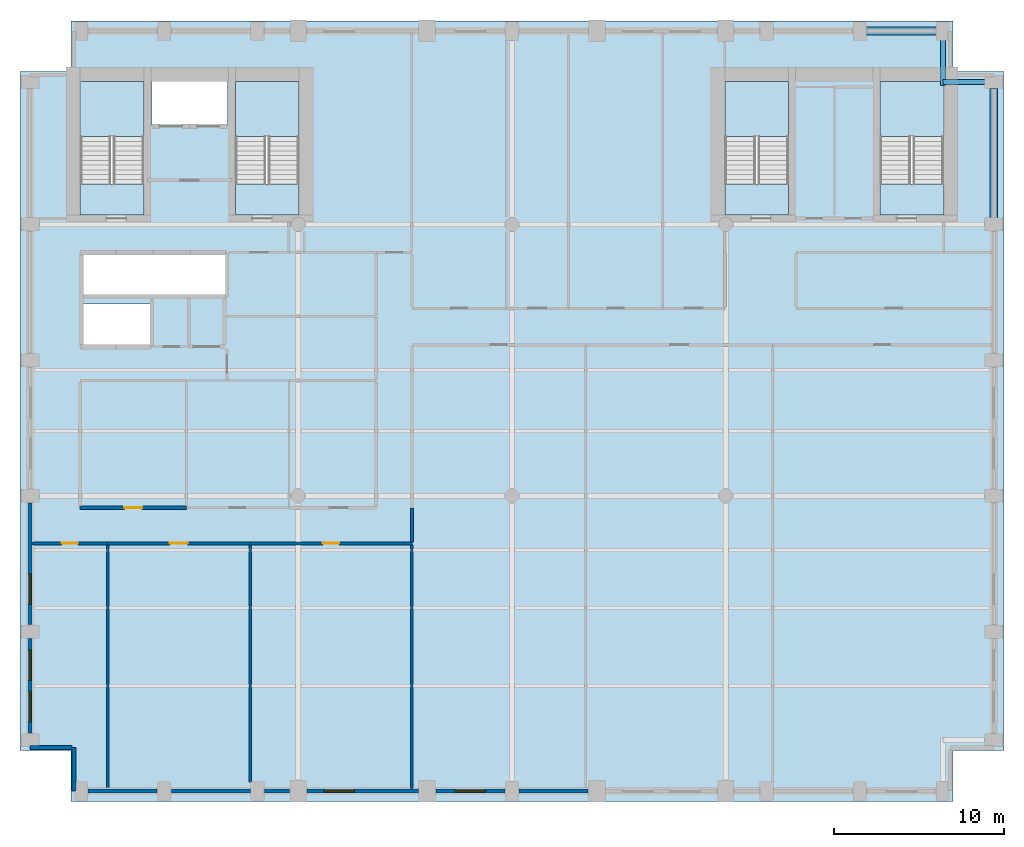
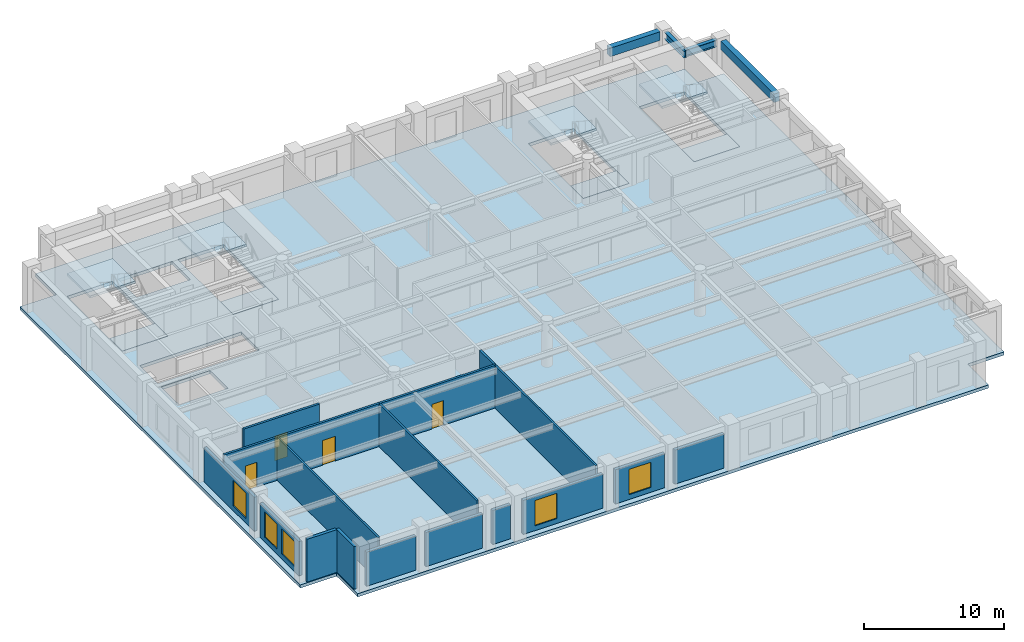
# One storey, part 2 of 8: 18 walls, 9 slabs, 5 windows, 4 beams, 4 doors, 9 openings, 4 elements without a shape of their own.
"""IFC4 building model written with IfcOpenShell, lengths in metres."""

from ifc_helpers import new_model, si_unit, direction, frame, frame_2d, origin, origin_2d, place, context, subcontext, project, spatial, polyline, rectangle, i_section, outline, extrude, material, layer, layer_set, material_profile, profile_set, type_object, element, fill, aggregate, save


model = new_model("IFC4")

# Units and contexts
model_context = context("Model", 3, precision=1e-05, world=origin(), true_north=direction((0.0, 1.0)))
body_context = subcontext(model_context, "Body", "Model", "MODEL_VIEW")
ifc_project = project(units=[si_unit("LENGTHUNIT", "METRE"), si_unit("AREAUNIT", "SQUARE_METRE"), si_unit("VOLUMEUNIT", "CUBIC_METRE"), si_unit("PLANEANGLEUNIT", "RADIAN"), si_unit("MASSUNIT", "GRAM", prefix="KILO")], contexts=[model_context])

# Site, building, storey
site_placement = place(None, origin())
site = spatial("IfcSite", under=ifc_project, at=site_placement, CompositionType="ELEMENT")
building_placement = place(site_placement, origin())
building = spatial("IfcBuilding", under=site, at=building_placement, Name="Sulina Concourse Tower", CompositionType="ELEMENT")
storey_placement = place(building_placement, frame((0.0, 0.0, 174.60009765625)))
storey = spatial("IfcBuildingStorey", under=building, at=storey_placement, Name="L42", CompositionType="ELEMENT", Elevation=174.60009765625)

# Beams
ifc_material_1 = material(Name="Steel S355", Category="steel")
ifc_material_profile_1 = material_profile(ifc_material_1, i_section(OverallWidth=0.300048828125, OverallDepth=0.60009765625, WebThickness=0.015380859375, FlangeThickness=0.030029296875, at=origin_2d()), Name="HE 600 B")
ifc_profile_set_1 = profile_set([ifc_material_profile_1], Name="Steel S355")
beam_type_1 = type_object("IfcBeamType", Name="Floor Primary Girder Zone 3 HE600B", PredefinedType="BEAM", material=ifc_profile_set_1)
beam_1_placement = place(storey_placement, frame((54.39990234375, 42.39990234375, 3.4248046875), z_axis=(1.0, 0.0, 0.0), x_axis=(0.0, 1.0, 0.0)))
element("IfcBeam", 1, at=beam_1_placement, inside=storey, type_object=beam_type_1, Name="TIE-NE-L42", PredefinedType="BEAM", context=body_context, shape_type="SweptSolid", body=[
    extrude(i_section(OverallWidth=0.300048828125, OverallDepth=0.60009765625, WebThickness=0.015380859375, FlangeThickness=0.030029296875, at=origin_2d()), origin(), (0.0, 0.0, 1.0), 2.6201171875),
])
beam_2_placement = place(storey_placement, frame((54.39990234375, 42.199951171875, 3.4248046875), z_axis=(0.0, 1.0, 0.0), x_axis=(-1.0, 0.0, 0.0)))
element("IfcBeam", 2, at=beam_2_placement, inside=storey, type_object=beam_type_1, Name="TIE-NEN-L42", PredefinedType="BEAM", context=body_context, shape_type="SweptSolid", body=[
    extrude(i_section(OverallWidth=0.300048828125, OverallDepth=0.60009765625, WebThickness=0.015380859375, FlangeThickness=0.030029296875, at=origin_2d()), origin(), (0.0, 0.0, 1.0), 2.820068359375),
])
ifc_material_2 = material(Name="Precast concrete C50/60", Category="concrete")
ifc_material_profile_2 = material_profile(ifc_material_2, rectangle(XDim=0.449951171875, YDim=0.75, at=origin_2d()), Name="RC 450x750")
ifc_profile_set_2 = profile_set([ifc_material_profile_2], Name="Precast concrete C50/60")
beam_type_2 = type_object("IfcBeamType", Name="Upper Precast Spandrel Edge Beam 450x750", PredefinedType="BEAM", material=ifc_profile_set_2)
beam_3_placement = place(storey_placement, frame((49.8798828125, 45.39990234375, 3.349853515625), z_axis=(1.0, 0.0, 0.0), x_axis=(0.0, 1.0, 0.0)))
element("IfcBeam", 3, at=beam_3_placement, inside=storey, type_object=beam_type_2, Name="SP-N10-L42", PredefinedType="BEAM", context=body_context, shape_type="SweptSolid", body=[
    extrude(rectangle(XDim=0.449951171875, YDim=0.75, at=origin_2d()), origin(), (0.0, 0.0, 1.0), 4.14013671875),
])
beam_4_placement = place(storey_placement, frame((57.39990234375, 34.3798828125, 3.349853515625), z_axis=(0.0, 1.0, 0.0), x_axis=(-1.0, 0.0, 0.0)))
element("IfcBeam", 4, at=beam_4_placement, inside=storey, type_object=beam_type_2, Name="SP-E5-L42", PredefinedType="BEAM", context=body_context, shape_type="SweptSolid", body=[
    extrude(rectangle(XDim=0.449951171875, YDim=0.75, at=origin_2d()), origin(), (0.0, 0.0, 1.0), 7.64013671875),
])

# Slabs
ifc_material_3 = material(Name="Concrete C50/60", Category="concrete")
ifc_layer_1 = layer(ifc_material_3, 0.27490234375)
ifc_layer_set_1 = layer_set([ifc_layer_1], Name="Concrete C50/60")
slab_type_1 = type_object("IfcSlabType", Name="Mid-Rise Composite Floor Slab 275mm", PredefinedType="FLOOR", material=ifc_layer_set_1)
slab_1_placement = place(storey_placement, frame((0.0, 0.0, -0.275146484375)))
element("IfcSlab", 5, at=slab_1_placement, inside=storey, type_object=slab_type_1, Name="L42 structural floor slab", PredefinedType="FLOOR", context=body_context, shape_type="SweptSolid", body=[
    extrude(outline(polyline([(3.0, 0.0), (55.0, 0.0), (55.0, 3.0), (58.0, 3.0), (58.0, 43.0), (55.0, 43.0), (55.0, 46.0), (3.0, 46.0), (3.0, 43.0), (0.0, 43.0), (0.0, 3.0), (3.0, 3.0), (3.0, 0.0)]), holes=[polyline([(7.31005859375, 34.550048828125), (7.31005859375, 42.429931640625), (3.550048828125, 42.429931640625), (3.550048828125, 34.550048828125), (7.31005859375, 34.550048828125)]), polyline([(16.449951171875, 34.550048828125), (16.449951171875, 42.429931640625), (12.68994140625, 42.429931640625), (12.68994140625, 34.550048828125), (16.449951171875, 34.550048828125)]), polyline([(45.31005859375, 34.550048828125), (45.31005859375, 42.429931640625), (41.550048828125, 42.429931640625), (41.550048828125, 34.550048828125), (45.31005859375, 34.550048828125)]), polyline([(54.449951171875, 34.550048828125), (54.449951171875, 42.429931640625), (50.68994140625, 42.429931640625), (50.68994140625, 34.550048828125), (54.449951171875, 34.550048828125)]), polyline([(7.780029296875, 39.830078125), (12.219970703125, 39.830078125), (12.219970703125, 42.449951171875), (7.780029296875, 42.449951171875), (7.780029296875, 39.830078125)]), polyline([(3.739990234375, 26.780029296875), (7.77001953125, 26.780029296875), (7.77001953125, 29.320068359375), (3.739990234375, 29.320068359375), (3.739990234375, 26.780029296875)]), polyline([(3.739990234375, 29.780029296875), (12.10009765625, 29.780029296875), (12.10009765625, 32.3701171875), (3.739990234375, 32.3701171875), (3.739990234375, 29.780029296875)])]), origin(), (0.0, 0.0, 1.0), 0.275146484375),
])
ifc_material_4 = material(Name="Concrete C50/60", Category="concrete")
ifc_layer_2 = layer(ifc_material_4, 0.199951171875)
ifc_layer_set_2 = layer_set([ifc_layer_2], Name="Concrete C50/60")
slab_type_2 = type_object("IfcSlabType", Name="Primary Core Stair Landing Slab 200mm", PredefinedType="LANDING", material=ifc_layer_set_2)
slab_2_placement = place(storey_placement, frame((0.0, 0.0, -0.2001953125)))
element("IfcSlab", 6, at=slab_2_placement, inside=storey, type_object=slab_type_2, Name="L42 ST-1 floor landing slab", PredefinedType="LANDING", context=body_context, shape_type="SweptSolid", body=[
    extrude(outline(polyline([(7.31005859375, 34.550048828125), (7.31005859375, 36.375), (3.550048828125, 36.375), (3.550048828125, 34.550048828125), (7.31005859375, 34.550048828125)])), origin(), (0.0, 0.0, 1.0), 0.2001953125),
])
slab_3_placement = place(storey_placement, frame((0.0, 0.0, -0.2001953125)))
element("IfcSlab", 7, at=slab_3_placement, inside=storey, type_object=slab_type_2, Name="L42 ST-2 floor landing slab", PredefinedType="LANDING", context=body_context, shape_type="SweptSolid", body=[
    extrude(outline(polyline([(16.449951171875, 34.550048828125), (16.449951171875, 36.375), (12.68994140625, 36.375), (12.68994140625, 34.550048828125), (16.449951171875, 34.550048828125)])), origin(), (0.0, 0.0, 1.0), 0.2001953125),
])
slab_4_placement = place(storey_placement, frame((0.0, 0.0, -0.2001953125)))
element("IfcSlab", 8, at=slab_4_placement, inside=storey, type_object=slab_type_2, Name="L42 ST-3 floor landing slab", PredefinedType="LANDING", context=body_context, shape_type="SweptSolid", body=[
    extrude(outline(polyline([(45.31005859375, 34.550048828125), (45.31005859375, 36.375), (41.550048828125, 36.375), (41.550048828125, 34.550048828125), (45.31005859375, 34.550048828125)])), origin(), (0.0, 0.0, 1.0), 0.2001953125),
])
slab_5_placement = place(storey_placement, frame((0.0, 0.0, -0.2001953125)))
element("IfcSlab", 9, at=slab_5_placement, inside=storey, type_object=slab_type_2, Name="L42 ST-4 floor landing slab", PredefinedType="LANDING", context=body_context, shape_type="SweptSolid", body=[
    extrude(outline(polyline([(54.449951171875, 34.550048828125), (54.449951171875, 36.375), (50.68994140625, 36.375), (50.68994140625, 34.550048828125), (54.449951171875, 34.550048828125)])), origin(), (0.0, 0.0, 1.0), 0.2001953125),
])

# Stair, slab
ifc_material_5 = material(Name="Concrete C50/60", Category="concrete")
stair_type_1 = type_object("IfcStairType", Name="Primary Core Dog-Leg Exit Stair 1800mm", PredefinedType="HALF_TURN_STAIR", material=ifc_material_5)
stair_1_placement = place(storey_placement, origin())
stair_1 = element("IfcStair", 10, at=stair_1_placement, inside=storey, type_object=stair_type_1, Name="L42 ST-1", PredefinedType="HALF_TURN_STAIR")
slab_6_placement = place(storey_placement, frame((0.0, 0.0, 1.7998046875)))
slab_6 = element("IfcSlab", 11, at=slab_6_placement, type_object=slab_type_2, Name="ST-1 landing 1", PredefinedType="LANDING", context=body_context, shape_type="SweptSolid", body=[
    extrude(outline(polyline([(7.304931640625, 39.175048828125), (7.304931640625, 42.425048828125), (3.554931640625, 42.425048828125), (3.554931640625, 39.175048828125), (7.304931640625, 39.175048828125)])), origin(), (0.0, 0.0, 1.0), 0.2001953125),
])
aggregate(stair_1, [slab_6])

stair_2_placement = place(storey_placement, origin())
stair_2 = element("IfcStair", 12, at=stair_2_placement, inside=storey, type_object=stair_type_1, Name="L42 ST-2", PredefinedType="HALF_TURN_STAIR")
slab_7_placement = place(storey_placement, frame((0.0, 0.0, 1.7998046875)))
slab_7 = element("IfcSlab", 13, at=slab_7_placement, type_object=slab_type_2, Name="ST-2 landing 1", PredefinedType="LANDING", context=body_context, shape_type="SweptSolid", body=[
    extrude(outline(polyline([(16.445068359375, 39.175048828125), (16.445068359375, 42.425048828125), (12.695068359375, 42.425048828125), (12.695068359375, 39.175048828125), (16.445068359375, 39.175048828125)])), origin(), (0.0, 0.0, 1.0), 0.2001953125),
])
aggregate(stair_2, [slab_7])

ifc_material_6 = material(Name="Concrete C50/60", Category="concrete")
stair_type_2 = type_object("IfcStairType", Name="Portal & Podium Core Exit Stair 1820mm", PredefinedType="HALF_TURN_STAIR", material=ifc_material_6)
stair_3_placement = place(storey_placement, origin())
stair_3 = element("IfcStair", 14, at=stair_3_placement, inside=storey, type_object=stair_type_2, Name="L42 ST-3", PredefinedType="HALF_TURN_STAIR")
slab_8_placement = place(storey_placement, frame((0.0, 0.0, 1.7998046875)))
slab_8 = element("IfcSlab", 15, at=slab_8_placement, type_object=slab_type_2, Name="ST-3 landing 1", PredefinedType="LANDING", context=body_context, shape_type="SweptSolid", body=[
    extrude(outline(polyline([(45.304931640625, 39.175048828125), (45.304931640625, 42.425048828125), (41.554931640625, 42.425048828125), (41.554931640625, 39.175048828125), (45.304931640625, 39.175048828125)])), origin(), (0.0, 0.0, 1.0), 0.2001953125),
])
aggregate(stair_3, [slab_8])

stair_4_placement = place(storey_placement, origin())
stair_4 = element("IfcStair", 16, at=stair_4_placement, inside=storey, type_object=stair_type_2, Name="L42 ST-4", PredefinedType="HALF_TURN_STAIR")
slab_9_placement = place(storey_placement, frame((0.0, 0.0, 1.7998046875)))
slab_9 = element("IfcSlab", 17, at=slab_9_placement, type_object=slab_type_2, Name="ST-4 landing 1", PredefinedType="LANDING", context=body_context, shape_type="SweptSolid", body=[
    extrude(outline(polyline([(54.445068359375, 39.175048828125), (54.445068359375, 42.425048828125), (50.695068359375, 42.425048828125), (50.695068359375, 39.175048828125), (54.445068359375, 39.175048828125)])), origin(), (0.0, 0.0, 1.0), 0.2001953125),
])
aggregate(stair_4, [slab_9])

# Walls
ifc_material_7 = material(Name="Precast concrete C50/60", Category="concrete")
ifc_layer_3 = layer(ifc_material_7, 0.239990234375)
ifc_layer_set_3 = layer_set([ifc_layer_3], Name="Precast concrete C50/60")
wall_type_1 = type_object("IfcWallType", Name="Crown Precast Masonry-Frame Facade Wall 240mm", PredefinedType="SOLIDWALL", material=ifc_layer_set_3)
wall_1_placement = place(storey_placement, frame((8.080078125, 0.60009765625, 0.0), z_axis=(0.0, 0.0, 1.0), x_axis=(-1.0, 0.0, 0.0)))
element("IfcWall", 18, at=wall_1_placement, inside=storey, type_object=wall_type_1, Name="L42 exterior precast wall S1", PredefinedType="SOLIDWALL", context=body_context, shape_type="SweptSolid", body=[
    extrude(rectangle(XDim=4.06005859375, YDim=0.239990234375, at=frame_2d((2.030029296875, 0.0))), origin(), (0.0, 0.0, 1.0), 2.974853515625),
])
wall_2_placement = place(storey_placement, frame((13.580078125, 0.60009765625, 0.0), z_axis=(0.0, 0.0, 1.0), x_axis=(-1.0, 0.0, 0.0)))
element("IfcWall", 19, at=wall_2_placement, inside=storey, type_object=wall_type_1, Name="L42 exterior precast wall S2", PredefinedType="SOLIDWALL", context=body_context, shape_type="SweptSolid", body=[
    extrude(rectangle(XDim=4.66015625, YDim=0.239990234375, at=frame_2d((2.330078125, 0.0))), origin(), (0.0, 0.0, 1.0), 2.974853515625),
])
wall_3_placement = place(storey_placement, frame((15.8798828125, 0.60009765625, 0.0), z_axis=(0.0, 0.0, 1.0), x_axis=(-1.0, 0.0, 0.0)))
element("IfcWall", 20, at=wall_3_placement, inside=storey, type_object=wall_type_1, Name="L42 exterior precast wall S3", PredefinedType="SOLIDWALL", context=body_context, shape_type="SweptSolid", body=[
    extrude(rectangle(XDim=1.4599609375, YDim=0.239990234375, at=frame_2d((0.72998046875, 0.0))), origin(), (0.0, 0.0, 1.0), 2.974853515625),
])

# Wall, opening, window
wall_4_placement = place(storey_placement, frame((23.47998046875, 0.60009765625, 0.0), z_axis=(0.0, 0.0, 1.0), x_axis=(-1.0, 0.0, 0.0)))
wall_4 = element("IfcWall", 21, at=wall_4_placement, inside=storey, type_object=wall_type_1, Name="L42 exterior precast wall S4", PredefinedType="SOLIDWALL", context=body_context, shape_type="SweptSolid", body=[
    extrude(rectangle(XDim=6.56005859375, YDim=0.239990234375, at=frame_2d((3.280029296875, 0.0))), origin(), (0.0, 0.0, 1.0), 2.974853515625),
])
opening_1_placement = place(wall_4_placement, frame((3.773193359375, 0.0, 0.419921875)))
opening_1 = element("IfcOpeningElement", 22, at=opening_1_placement, cuts=wall_4, Name="Opening WN-25", PredefinedType="OPENING", context=body_context, shape_type="SweptSolid", body=[
    extrude(rectangle(XDim=1.800048828125, YDim=2.199951171875, at=frame_2d((0.89990234375, 1.10009765625))), frame((0.0, 0.1298828125, 0.0), z_axis=(0.0, -1.0, 0.0), x_axis=(1.0, 0.0, 0.0)), (0.0, 0.0, 1.0), 0.260009765625),
])
ifc_material_8 = material(Name="Low-E solar double glazing in bronze aluminium", Category="aluminium")
window_type = type_object("IfcWindowType", Name="Punched Masonry-Frame Window 1800x2200", PartitioningType="SINGLE_PANEL", PredefinedType="WINDOW", material=ifc_material_8)
window_1_placement = place(opening_1_placement, origin())
window_1 = element("IfcWindow", 23, at=window_1_placement, inside=storey, type_object=window_type, Name="L42 punched window S4-1", OverallHeight=2.199951171875, OverallWidth=1.800048828125, PartitioningType="SINGLE_PANEL", PredefinedType="WINDOW", context=body_context, shape_type="SweptSolid", body=[
    extrude(rectangle(XDim=1.800048828125, YDim=2.199951171875, at=frame_2d((0.89990234375, 1.10009765625))), frame((0.0, 0.030029296875, 0.0), z_axis=(0.0, -1.0, 0.0), x_axis=(1.0, 0.0, 0.0)), (0.0, 0.0, 1.0), 0.06005859375),
])
fill(opening_1, window_1)

wall_5_placement = place(storey_placement, frame((28.580078125, 0.60009765625, 0.0), z_axis=(0.0, 0.0, 1.0), x_axis=(-1.0, 0.0, 0.0)))
wall_5 = element("IfcWall", 24, at=wall_5_placement, inside=storey, type_object=wall_type_1, Name="L42 exterior precast wall S5", PredefinedType="SOLIDWALL", context=body_context, shape_type="SweptSolid", body=[
    extrude(rectangle(XDim=4.06005859375, YDim=0.239990234375, at=frame_2d((2.030029296875, 0.0))), origin(), (0.0, 0.0, 1.0), 2.974853515625),
])
opening_2_placement = place(wall_5_placement, frame((1.1298828125, 0.0, 0.419921875)))
opening_2 = element("IfcOpeningElement", 25, at=opening_2_placement, cuts=wall_5, Name="Opening WN-25", PredefinedType="OPENING", context=body_context, shape_type="SweptSolid", body=[
    extrude(rectangle(XDim=1.800048828125, YDim=2.199951171875, at=frame_2d((0.89990234375, 1.10009765625))), frame((0.0, 0.1298828125, 0.0), z_axis=(0.0, -1.0, 0.0), x_axis=(1.0, 0.0, 0.0)), (0.0, 0.0, 1.0), 0.260009765625),
])
window_2_placement = place(opening_2_placement, origin())
window_2 = element("IfcWindow", 26, at=window_2_placement, inside=storey, type_object=window_type, Name="L42 punched window S5-1", OverallHeight=2.199951171875, OverallWidth=1.800048828125, PartitioningType="SINGLE_PANEL", PredefinedType="WINDOW", context=body_context, shape_type="SweptSolid", body=[
    extrude(rectangle(XDim=1.800048828125, YDim=2.199951171875, at=frame_2d((0.89990234375, 1.10009765625))), frame((0.0, 0.030029296875, 0.0), z_axis=(0.0, -1.0, 0.0), x_axis=(1.0, 0.0, 0.0)), (0.0, 0.0, 1.0), 0.06005859375),
])
fill(opening_2, window_2)

# Wall
wall_6_placement = place(storey_placement, frame((33.47998046875, 0.60009765625, 0.0), z_axis=(0.0, 0.0, 1.0), x_axis=(-1.0, 0.0, 0.0)))
element("IfcWall", 27, at=wall_6_placement, inside=storey, type_object=wall_type_1, Name="L42 exterior precast wall S6", PredefinedType="SOLIDWALL", context=body_context, shape_type="SweptSolid", body=[
    extrude(rectangle(XDim=4.06005859375, YDim=0.239990234375, at=frame_2d((2.030029296875, 0.0))), origin(), (0.0, 0.0, 1.0), 2.974853515625),
])

# Wall, openings, windows
wall_7_placement = place(storey_placement, frame((0.60009765625, 4.02001953125, 0.0), z_axis=(0.0, 0.0, 1.0), x_axis=(0.0, 1.0, 0.0)))
wall_7 = element("IfcWall", 28, at=wall_7_placement, inside=storey, type_object=wall_type_1, Name="L42 exterior precast wall W1", PredefinedType="SOLIDWALL", context=body_context, shape_type="SweptSolid", body=[
    extrude(rectangle(XDim=5.56005859375, YDim=0.239990234375, at=frame_2d((2.780029296875, 0.0))), origin(), (0.0, 0.0, 1.0), 2.974853515625),
])
opening_3_placement = place(wall_7_placement, frame((0.6533203125, 0.0, 0.419921875)))
opening_3 = element("IfcOpeningElement", 29, at=opening_3_placement, cuts=wall_7, Name="Opening WN-25", PredefinedType="OPENING", context=body_context, shape_type="SweptSolid", body=[
    extrude(rectangle(XDim=1.800048828125, YDim=2.199951171875, at=frame_2d((0.89990234375, 1.10009765625))), frame((0.0, 0.1298828125, 0.0), z_axis=(0.0, -1.0, 0.0), x_axis=(1.0, 0.0, 0.0)), (0.0, 0.0, 1.0), 0.260009765625),
])
opening_4_placement = place(wall_7_placement, frame((3.106689453125, 0.0, 0.419921875)))
opening_4 = element("IfcOpeningElement", 30, at=opening_4_placement, cuts=wall_7, Name="Opening WN-25", PredefinedType="OPENING", context=body_context, shape_type="SweptSolid", body=[
    extrude(rectangle(XDim=1.800048828125, YDim=2.199951171875, at=frame_2d((0.89990234375, 1.10009765625))), frame((0.0, 0.1298828125, 0.0), z_axis=(0.0, -1.0, 0.0), x_axis=(1.0, 0.0, 0.0)), (0.0, 0.0, 1.0), 0.260009765625),
])
window_3_placement = place(opening_3_placement, origin())
window_3 = element("IfcWindow", 31, at=window_3_placement, inside=storey, type_object=window_type, Name="L42 punched window W1-1", OverallHeight=2.199951171875, OverallWidth=1.800048828125, PartitioningType="SINGLE_PANEL", PredefinedType="WINDOW", context=body_context, shape_type="SweptSolid", body=[
    extrude(rectangle(XDim=1.800048828125, YDim=2.199951171875, at=frame_2d((0.89990234375, 1.10009765625))), frame((0.0, 0.030029296875, 0.0), z_axis=(0.0, -1.0, 0.0), x_axis=(1.0, 0.0, 0.0)), (0.0, 0.0, 1.0), 0.06005859375),
])
fill(opening_3, window_3)
window_4_placement = place(opening_4_placement, origin())
window_4 = element("IfcWindow", 32, at=window_4_placement, inside=storey, type_object=window_type, Name="L42 punched window W1-2", OverallHeight=2.199951171875, OverallWidth=1.800048828125, PartitioningType="SINGLE_PANEL", PredefinedType="WINDOW", context=body_context, shape_type="SweptSolid", body=[
    extrude(rectangle(XDim=1.800048828125, YDim=2.199951171875, at=frame_2d((0.89990234375, 1.10009765625))), frame((0.0, 0.030029296875, 0.0), z_axis=(0.0, -1.0, 0.0), x_axis=(1.0, 0.0, 0.0)), (0.0, 0.0, 1.0), 0.06005859375),
])
fill(opening_4, window_4)

# Wall, opening, window
wall_8_placement = place(storey_placement, frame((0.60009765625, 10.419921875, 0.0), z_axis=(0.0, 0.0, 1.0), x_axis=(0.0, 1.0, 0.0)))
wall_8 = element("IfcWall", 33, at=wall_8_placement, inside=storey, type_object=wall_type_1, Name="L42 exterior precast wall W2", PredefinedType="SOLIDWALL", context=body_context, shape_type="SweptSolid", body=[
    extrude(rectangle(XDim=7.16015625, YDim=0.239990234375, at=frame_2d((3.580078125, 0.0))), origin(), (0.0, 0.0, 1.0), 2.974853515625),
])
opening_5_placement = place(wall_8_placement, frame((1.186767578125, 0.0, 0.419921875)))
opening_5 = element("IfcOpeningElement", 34, at=opening_5_placement, cuts=wall_8, Name="Opening WN-25", PredefinedType="OPENING", context=body_context, shape_type="SweptSolid", body=[
    extrude(rectangle(XDim=1.800048828125, YDim=2.199951171875, at=frame_2d((0.89990234375, 1.10009765625))), frame((0.0, 0.1298828125, 0.0), z_axis=(0.0, -1.0, 0.0), x_axis=(1.0, 0.0, 0.0)), (0.0, 0.0, 1.0), 0.260009765625),
])
window_5_placement = place(opening_5_placement, origin())
window_5 = element("IfcWindow", 35, at=window_5_placement, inside=storey, type_object=window_type, Name="L42 punched window W2-1", OverallHeight=2.199951171875, OverallWidth=1.800048828125, PartitioningType="SINGLE_PANEL", PredefinedType="WINDOW", context=body_context, shape_type="SweptSolid", body=[
    extrude(rectangle(XDim=1.800048828125, YDim=2.199951171875, at=frame_2d((0.89990234375, 1.10009765625))), frame((0.0, 0.030029296875, 0.0), z_axis=(0.0, -1.0, 0.0), x_axis=(1.0, 0.0, 0.0)), (0.0, 0.0, 1.0), 0.06005859375),
])
fill(opening_5, window_5)

# Walls
wall_9_placement = place(storey_placement, frame((3.179931640625, 0.60009765625, 0.0), z_axis=(0.0, 0.0, 1.0), x_axis=(0.0, 1.0, 0.0)))
element("IfcWall", 36, at=wall_9_placement, inside=storey, type_object=wall_type_1, Name="L42 exterior precast wall CSW1", PredefinedType="SOLIDWALL", context=body_context, shape_type="SweptSolid", body=[
    extrude(rectangle(XDim=2.579833984375, YDim=0.239990234375, at=frame_2d((1.2900390625, 0.0))), origin(), (0.0, 0.0, 1.0), 3.724853515625),
])
wall_10_placement = place(storey_placement, frame((3.054931640625, 3.179931640625, 0.0), z_axis=(0.0, 0.0, 1.0), x_axis=(-1.0, 0.0, 0.0)))
element("IfcWall", 37, at=wall_10_placement, inside=storey, type_object=wall_type_1, Name="L42 exterior precast wall CSW2", PredefinedType="SOLIDWALL", context=body_context, shape_type="SweptSolid", body=[
    extrude(rectangle(XDim=2.454833984375, YDim=0.239990234375, at=frame_2d((1.2275390625, 0.0))), origin(), (0.0, 0.0, 1.0), 3.724853515625),
])
ifc_material_9 = material(Name="Gypsum board on steel stud", Category="steel")
ifc_layer_4 = layer(ifc_material_9, 0.14990234375)
ifc_layer_set_4 = layer_set([ifc_layer_4], Name="Gypsum board on steel stud")
wall_type_2 = type_object("IfcWallType", Name="Inter-Tenancy Acoustic Partition 150mm", PredefinedType="PARTITIONING", material=ifc_layer_set_4)
wall_11_placement = place(storey_placement, frame((5.159912109375, 0.719970703125, 0.0), z_axis=(0.0, 0.0, 1.0), x_axis=(0.0, 1.0, 0.0)))
element("IfcWall", 38, at=wall_11_placement, inside=storey, type_object=wall_type_2, Name="L42 interior partition 032", PredefinedType="PARTITIONING", context=body_context, shape_type="SweptSolid", body=[
    extrude(rectangle(XDim=14.39013671875, YDim=0.14990234375, at=frame_2d((7.195068359375, 0.0))), origin(), (0.0, 0.0, 1.0), 3.724853515625),
])
wall_12_placement = place(storey_placement, frame((13.56005859375, 1.14990234375, 0.0), z_axis=(0.0, 0.0, 1.0), x_axis=(0.0, 1.0, 0.0)))
element("IfcWall", 39, at=wall_12_placement, inside=storey, type_object=wall_type_2, Name="L42 interior partition 037", PredefinedType="PARTITIONING", context=body_context, shape_type="SweptSolid", body=[
    extrude(rectangle(XDim=13.960205078125, YDim=0.14990234375, at=frame_2d((6.97998046875, 0.0))), origin(), (0.0, 0.0, 1.0), 3.724853515625),
])
wall_13_placement = place(storey_placement, frame((23.10009765625, 0.719970703125, 0.0), z_axis=(0.0, 0.0, 1.0), x_axis=(0.0, 1.0, 0.0)))
element("IfcWall", 40, at=wall_13_placement, inside=storey, type_object=wall_type_2, Name="L42 interior partition 044", PredefinedType="PARTITIONING", context=body_context, shape_type="SweptSolid", body=[
    extrude(rectangle(XDim=14.39013671875, YDim=0.14990234375, at=frame_2d((7.195068359375, 0.0))), origin(), (0.0, 0.0, 1.0), 3.724853515625),
])

# Wall, opening, door
ifc_material_10 = material(Name="Gypsum board on steel stud", Category="steel")
ifc_layer_5 = layer(ifc_material_10, 0.179931640625)
ifc_layer_set_5 = layer_set([ifc_layer_5], Name="Gypsum board on steel stud")
wall_type_3 = type_object("IfcWallType", Name="Protected Corridor & Riser Partition 180mm", PredefinedType="PARTITIONING", material=ifc_layer_set_5)
wall_14_placement = place(storey_placement, frame((0.719970703125, 15.199951171875, 0.0), z_axis=(0.0, 0.0, 1.0), x_axis=(1.0, 0.0, 0.0)))
wall_14 = element("IfcWall", 41, at=wall_14_placement, inside=storey, type_object=wall_type_3, Name="L42 interior partition 001", PredefinedType="PARTITIONING", context=body_context, shape_type="SweptSolid", body=[
    extrude(rectangle(XDim=4.43994140625, YDim=0.179931640625, at=frame_2d((2.219970703125, 0.0))), origin(), (0.0, 0.0, 1.0), 3.724853515625),
])
opening_6_placement = place(wall_14_placement, frame((1.7451171875, 0.0, 0.0)))
opening_6 = element("IfcOpeningElement", 42, at=opening_6_placement, cuts=wall_14, Name="Opening DR-19", PredefinedType="OPENING", context=body_context, shape_type="SweptSolid", body=[
    extrude(rectangle(XDim=0.949951171875, YDim=2.14990234375, at=frame_2d((0.47509765625, 1.074951171875))), frame((0.0, 0.099853515625, 0.0), z_axis=(0.0, -1.0, 0.0), x_axis=(1.0, 0.0, 0.0)), (0.0, 0.0, 1.0), 0.199951171875),
])
ifc_material_11 = material(Name="Oak-veneered acoustic timber leaf", Category="wood")
ifc_layer_6 = layer(ifc_material_11, 0.050048828125)
ifc_layer_set_6 = layer_set([ifc_layer_6], Name="Oak-veneered acoustic timber leaf")
door_type_1 = type_object("IfcDoorType", Name="Cellular Office & Meeting Door 950x2150", OperationType="NOTDEFINED", PredefinedType="DOOR", material=ifc_layer_set_6)
door_1_placement = place(opening_6_placement, origin())
door_1 = element("IfcDoor", 43, at=door_1_placement, inside=storey, type_object=door_type_1, Name="L42 interior door L42-S01", OperationType="SINGLE_SWING_RIGHT", OverallHeight=2.14990234375, OverallWidth=0.949951171875, PredefinedType="DOOR", context=body_context, shape_type="SweptSolid", body=[
    extrude(rectangle(XDim=0.949951171875, YDim=2.14990234375, at=frame_2d((0.47509765625, 1.074951171875))), frame((0.0, 0.02490234375, 0.0), z_axis=(0.0, -1.0, 0.0), x_axis=(1.0, 0.0, 0.0)), (0.0, 0.0, 1.0), 0.050048828125),
])
fill(opening_6, door_1)

wall_15_placement = place(storey_placement, frame((5.159912109375, 15.199951171875, 0.0), z_axis=(0.0, 0.0, 1.0), x_axis=(1.0, 0.0, 0.0)))
wall_15 = element("IfcWall", 44, at=wall_15_placement, inside=storey, type_object=wall_type_3, Name="L42 interior partition 002", PredefinedType="PARTITIONING", context=body_context, shape_type="SweptSolid", body=[
    extrude(rectangle(XDim=8.400146484375, YDim=0.179931640625, at=frame_2d((4.2001953125, 0.0))), origin(), (0.0, 0.0, 1.0), 3.724853515625),
])
opening_7_placement = place(wall_15_placement, frame((3.675048828125, 0.0, 0.0)))
opening_7 = element("IfcOpeningElement", 45, at=opening_7_placement, cuts=wall_15, Name="Opening DR-37", PredefinedType="OPENING", context=body_context, shape_type="SweptSolid", body=[
    extrude(rectangle(XDim=1.050048828125, YDim=2.14990234375, at=frame_2d((0.52490234375, 1.074951171875))), frame((0.0, 0.099853515625, 0.0), z_axis=(0.0, -1.0, 0.0), x_axis=(1.0, 0.0, 0.0)), (0.0, 0.0, 1.0), 0.199951171875),
])
ifc_material_12 = material(Name="Oak-veneered fire door leaf")
ifc_layer_7 = layer(ifc_material_12, 0.050048828125)
ifc_layer_set_7 = layer_set([ifc_layer_7], Name="Oak-veneered fire door leaf")
door_type_2 = type_object("IfcDoorType", Name="Tenant Suite Entrance Fire Door 1050x2150", OperationType="NOTDEFINED", PredefinedType="DOOR", material=ifc_layer_set_7)
door_2_placement = place(opening_7_placement, origin())
door_2 = element("IfcDoor", 46, at=door_2_placement, inside=storey, type_object=door_type_2, Name="L42 interior door L42-S02", OperationType="SINGLE_SWING_LEFT", OverallHeight=2.14990234375, OverallWidth=1.050048828125, PredefinedType="DOOR", context=body_context, shape_type="SweptSolid", body=[
    extrude(rectangle(XDim=1.050048828125, YDim=2.14990234375, at=frame_2d((0.52490234375, 1.074951171875))), frame((0.0, 0.02490234375, 0.0), z_axis=(0.0, -1.0, 0.0), x_axis=(1.0, 0.0, 0.0)), (0.0, 0.0, 1.0), 0.050048828125),
])
fill(opening_7, door_2)

wall_16_placement = place(storey_placement, frame((13.56005859375, 15.199951171875, 0.0), z_axis=(0.0, 0.0, 1.0), x_axis=(1.0, 0.0, 0.0)))
wall_16 = element("IfcWall", 47, at=wall_16_placement, inside=storey, type_object=wall_type_3, Name="L42 interior partition 003", PredefinedType="PARTITIONING", context=body_context, shape_type="SweptSolid", body=[
    extrude(rectangle(XDim=9.5400390625, YDim=0.179931640625, at=frame_2d((4.77001953125, 0.0))), origin(), (0.0, 0.0, 1.0), 3.724853515625),
])
opening_8_placement = place(wall_16_placement, frame((4.294921875, 0.0, 0.0)))
opening_8 = element("IfcOpeningElement", 48, at=opening_8_placement, cuts=wall_16, Name="Opening DR-19", PredefinedType="OPENING", context=body_context, shape_type="SweptSolid", body=[
    extrude(rectangle(XDim=0.949951171875, YDim=2.14990234375, at=frame_2d((0.47509765625, 1.074951171875))), frame((0.0, 0.099853515625, 0.0), z_axis=(0.0, -1.0, 0.0), x_axis=(1.0, 0.0, 0.0)), (0.0, 0.0, 1.0), 0.199951171875),
])
door_3_placement = place(opening_8_placement, origin())
door_3 = element("IfcDoor", 49, at=door_3_placement, inside=storey, type_object=door_type_1, Name="L42 interior door L42-S03", OperationType="SINGLE_SWING_RIGHT", OverallHeight=2.14990234375, OverallWidth=0.949951171875, PredefinedType="DOOR", context=body_context, shape_type="SweptSolid", body=[
    extrude(rectangle(XDim=0.949951171875, YDim=2.14990234375, at=frame_2d((0.47509765625, 1.074951171875))), frame((0.0, 0.02490234375, 0.0), z_axis=(0.0, -1.0, 0.0), x_axis=(1.0, 0.0, 0.0)), (0.0, 0.0, 1.0), 0.050048828125),
])
fill(opening_8, door_3)

wall_17_placement = place(storey_placement, frame((3.550048828125, 17.300048828125, 0.0), z_axis=(0.0, 0.0, 1.0), x_axis=(1.0, 0.0, 0.0)))
wall_17 = element("IfcWall", 50, at=wall_17_placement, inside=storey, type_object=wall_type_3, Name="L42 interior partition 004", PredefinedType="PARTITIONING", context=body_context, shape_type="SweptSolid", body=[
    extrude(rectangle(XDim=6.25, YDim=0.179931640625, at=frame_2d((3.125, 0.0))), origin(), (0.0, 0.0, 1.0), 3.724853515625),
])
opening_9_placement = place(wall_17_placement, frame((2.60009765625, 0.0, 0.0)))
opening_9 = element("IfcOpeningElement", 51, at=opening_9_placement, cuts=wall_17, Name="Opening DR-37", PredefinedType="OPENING", context=body_context, shape_type="SweptSolid", body=[
    extrude(rectangle(XDim=1.050048828125, YDim=2.14990234375, at=frame_2d((0.52490234375, 1.074951171875))), frame((0.0, 0.099853515625, 0.0), z_axis=(0.0, -1.0, 0.0), x_axis=(1.0, 0.0, 0.0)), (0.0, 0.0, 1.0), 0.199951171875),
])
door_4_placement = place(opening_9_placement, origin())
door_4 = element("IfcDoor", 52, at=door_4_placement, inside=storey, type_object=door_type_2, Name="L42 interior door L42-LR-MRG1", OperationType="SINGLE_SWING_LEFT", OverallHeight=2.14990234375, OverallWidth=1.050048828125, PredefinedType="DOOR", context=body_context, shape_type="SweptSolid", body=[
    extrude(rectangle(XDim=1.050048828125, YDim=2.14990234375, at=frame_2d((0.52490234375, 1.074951171875))), frame((0.0, 0.02490234375, 0.0), z_axis=(0.0, -1.0, 0.0), x_axis=(1.0, 0.0, 0.0)), (0.0, 0.0, 1.0), 0.050048828125),
])
fill(opening_9, door_4)

# Wall
wall_18_placement = place(storey_placement, frame((23.10009765625, 15.2900390625, 0.0), z_axis=(0.0, 0.0, 1.0), x_axis=(0.0, 1.0, 0.0)))
element("IfcWall", 53, at=wall_18_placement, inside=storey, type_object=wall_type_3, Name="L42 interior partition 045", PredefinedType="PARTITIONING", context=body_context, shape_type="SweptSolid", body=[
    extrude(rectangle(XDim=2.010009765625, YDim=0.179931640625, at=frame_2d((1.0048828125, 0.0))), origin(), (0.0, 0.0, 1.0), 3.724853515625),
])

save(model, "model.ifc")
